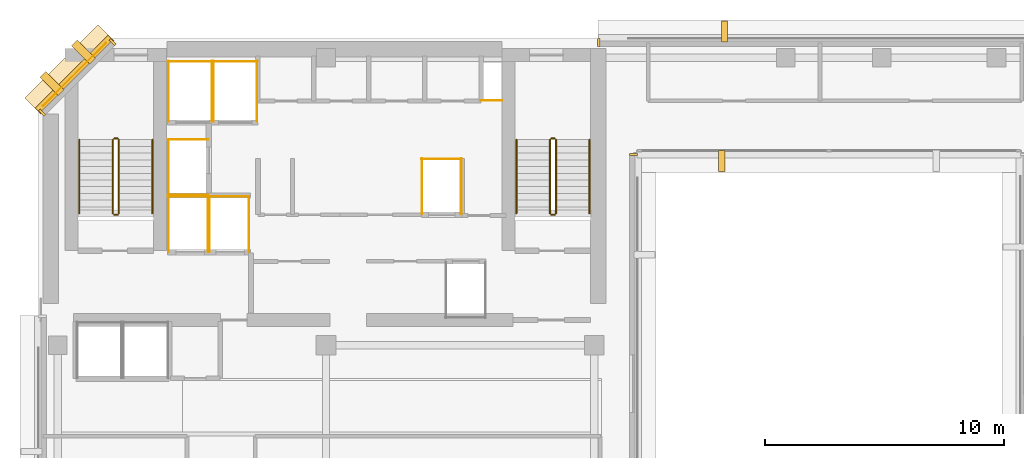
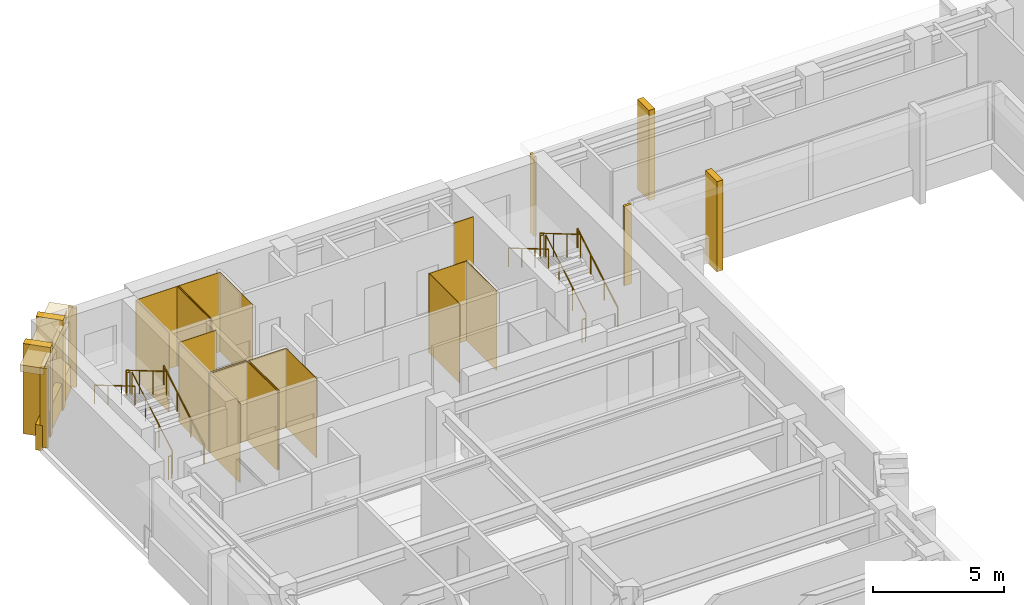
# One storey, part 10 of 11: 30 coverings, 12 railings.
"""IFC4 building model written with IfcOpenShell, lengths in metres."""

import ifcopenshell
import ifcopenshell.guid

model = None  # the IFC model being written
_history = None  # IfcOwnerHistory: only IFC2X3 demands one
_inside = {}  # id of a spatial element -> (the spatial element, [elements in it])
_under = {}  # id of a project, library or spatial element -> (it, [spatial elements below it])
_declared = {}  # id of a project -> (the project, [libraries it declares])
_typed = {}  # id of a type object -> (the type object, [elements of that type])
_made_of = {}  # id of a material, layer set ... -> (it, [elements and type objects made of it])


def new_model(schema):
    """Start an empty IFC model of exactly this schema.

    Asked for "IFC4X3", IfcOpenShell would pick the latest addendum, in which some entities
    have other attributes; the version numbers below select the first issue.
    IFC2X3 requires an IfcOwnerHistory on every rooted entity: one is made here for all.
    """
    global model, _history
    if schema == "IFC4X3":
        model = ifcopenshell.file(schema_version=(4, 3, 0, 0))
    else:
        model = ifcopenshell.file(schema=schema)
    _inside.clear()
    _under.clear()
    _declared.clear()
    _typed.clear()
    _made_of.clear()
    _history = None
    if model.schema == "IFC2X3":
        org = make("IfcOrganization", Name="unknown")
        user = make(
            "IfcPersonAndOrganization",
            ThePerson=make("IfcPerson", FamilyName="unknown"),
            TheOrganization=org,
        )
        app = make(
            "IfcApplication",
            ApplicationDeveloper=org,
            Version="unknown",
            ApplicationFullName="unknown",
            ApplicationIdentifier="unknown",
        )
        _history = make(
            "IfcOwnerHistory",
            OwningUser=user,
            OwningApplication=app,
            ChangeAction="ADDED",
            CreationDate=0,
        )
    return model


def make(cls, **values):
    """One entity of the class cls with the attributes given. An attribute that is None is left unset."""
    return model.create_entity(
        cls, **{name: value for name, value in values.items() if value is not None}
    )


def rooted(cls, **values):
    """An entity with a GlobalId (a new one), such as an element, a storey or a relation."""
    return make(cls, GlobalId=ifcopenshell.guid.new(), OwnerHistory=_history, **values)


def si_unit(unit_type, name, prefix=None):
    """IfcSIUnit, for example si_unit("LENGTHUNIT", "METRE", prefix="MILLI")."""
    return make("IfcSIUnit", UnitType=unit_type, Prefix=prefix, Name=name)


def assignment(units):
    """IfcUnitAssignment: the units of a project."""
    return None if units is None else make("IfcUnitAssignment", Units=units)


def point(xyz):
    """IfcCartesianPoint."""
    return None if xyz is None else make("IfcCartesianPoint", Coordinates=xyz)


def direction(xyz):
    """IfcDirection."""
    return None if xyz is None else make("IfcDirection", DirectionRatios=xyz)


def frame(location, z_axis=None, x_axis=None):
    """IfcAxis2Placement3D, a coordinate frame: its origin and axes. An axis left out is left unset."""
    return make(
        "IfcAxis2Placement3D",
        Location=point(location),
        Axis=direction(z_axis),
        RefDirection=direction(x_axis),
    )


def frame_2d(location, x_axis=None):
    """IfcAxis2Placement2D, a coordinate frame in the plane: its origin and x axis."""
    return make(
        "IfcAxis2Placement2D", Location=point(location), RefDirection=direction(x_axis)
    )


def origin():
    """The frame at (0, 0, 0) with its axes left unset."""
    return frame((0.0, 0.0, 0.0))


def origin_2d():
    """The frame at (0, 0) in the plane with its x axis left unset."""
    return frame_2d((0.0, 0.0))


def place(relative_to, where):
    """IfcLocalPlacement: puts the frame where relative to a parent placement (None: the world)."""
    return make(
        "IfcLocalPlacement", PlacementRelTo=relative_to, RelativePlacement=where
    )


def context(
    kind, dimensions, precision=None, world=None, true_north=None, identifier=None
):
    """IfcGeometricRepresentationContext, for example the 3D "Model" context."""
    return make(
        "IfcGeometricRepresentationContext",
        ContextIdentifier=identifier,
        ContextType=kind,
        CoordinateSpaceDimension=dimensions,
        Precision=precision,
        WorldCoordinateSystem=world,
        TrueNorth=true_north,
    )


def subcontext(parent, identifier, kind, view, scale=None):
    """IfcGeometricRepresentationSubContext, for example "Body" below "Model"."""
    return make(
        "IfcGeometricRepresentationSubContext",
        ContextIdentifier=identifier,
        ContextType=kind,
        ParentContext=parent,
        TargetScale=scale,
        TargetView=view,
    )


def project(units=None, contexts=None):
    """IfcProject with its units and contexts."""
    return rooted(
        "IfcProject",
        Name="project",
        RepresentationContexts=contexts,
        UnitsInContext=assignment(units),
    )


def spatial(cls, under=None, at=None, **own):
    """A site, building, storey or space (cls), placed at a placement, below another one or the project."""
    s = rooted(cls, ObjectPlacement=at, **own)
    if under is not None:
        _under.setdefault(under.id(), (under, []))[1].append(s)
    return s


def polyline(points):
    """IfcPolyline through the points."""
    return make("IfcPolyline", Points=[point(p) for p in points])


def profile(cls, at=None, kind="AREA", **sizes):
    """A parametric profile (cls). Its sizes go by their IFC names, for example OverallWidth=200.0."""
    return make(cls, ProfileType=kind, Position=at, **sizes)


def rectangle(**sizes):
    """IfcRectangleProfileDef."""
    return profile("IfcRectangleProfileDef", **sizes)


def circle(**sizes):
    """IfcCircleProfileDef."""
    return profile("IfcCircleProfileDef", **sizes)


def outline(outer, holes=None, kind="AREA"):
    """IfcArbitraryClosedProfileDef: a profile drawn as a closed curve; with holes, ...WithVoids."""
    if holes is None:
        return make("IfcArbitraryClosedProfileDef", ProfileType=kind, OuterCurve=outer)
    return make(
        "IfcArbitraryProfileDefWithVoids",
        ProfileType=kind,
        OuterCurve=outer,
        InnerCurves=holes,
    )


def extrude(swept, where, along, depth):
    """IfcExtrudedAreaSolid: the profile swept, set in the frame where, extruded along a direction by depth."""
    return make(
        "IfcExtrudedAreaSolid",
        SweptArea=swept,
        Position=where,
        ExtrudedDirection=direction(along),
        Depth=depth,
    )


def shape(context_of_items, identifier, shape_type, items):
    """IfcShapeRepresentation: the items that make up one representation, for example the "Body"."""
    return make(
        "IfcShapeRepresentation",
        ContextOfItems=context_of_items,
        RepresentationIdentifier=identifier,
        RepresentationType=shape_type,
        Items=items,
    )


def material(Name=None, Category=None):
    """IfcMaterial."""
    return make("IfcMaterial", Name=Name, Category=Category)


def layer(
    of_material, thickness, ventilated=None, Name=None, Category=None, Priority=None
):
    """IfcMaterialLayer: one layer of a wall or slab, of a material (None: an air gap)."""
    return make(
        "IfcMaterialLayer",
        Material=of_material,
        LayerThickness=thickness,
        IsVentilated=ventilated,
        Name=Name,
        Category=Category,
        Priority=Priority,
    )


def layer_set(layers, Name=None):
    """IfcMaterialLayerSet."""
    return make("IfcMaterialLayerSet", MaterialLayers=layers, LayerSetName=Name)


def made_of(thing, what):
    """Note that an element or type object is made of a material, layer set ...; save() writes the relation."""
    if what is not None:
        _made_of.setdefault(what.id(), (what, []))[1].append(thing)
    return thing


def type_object(cls, material=None, **own):
    """A type object (cls), such as IfcWallType, which elements share."""
    return made_of(rooted(cls, **own), material)


def element(
    cls,
    number,
    at=None,
    inside=None,
    cuts=None,
    type_object=None,
    material=None,
    context=None,
    identifier="Body",
    shape_type=None,
    held_by="IfcProductDefinitionShape",
    body=None,
    shapes=None,
    **own,
):
    """One element of the class cls, such as IfcWall. Its Tag is "e" and its number.

    at: its placement. inside: the storey or other place that contains it. cuts: it is an
    opening in that element (IfcRelVoidsElement). A single representation is given by context,
    identifier, shape_type and body (its items); several are given by shapes. held_by: the class
    of the entity that holds the representations. save() writes the other relations.
    """
    e = rooted(cls, Tag="e%d" % number, ObjectPlacement=at, **own)
    if body is not None:
        shapes = [shape(context, identifier, shape_type, body)]
    if shapes is not None:
        e.Representation = make(held_by, Representations=shapes)
    if inside is not None:
        _inside.setdefault(inside.id(), (inside, []))[1].append(e)
    if cuts is not None:
        rooted(
            "IfcRelVoidsElement", RelatingBuildingElement=cuts, RelatedOpeningElement=e
        )
    if type_object is not None:
        _typed.setdefault(type_object.id(), (type_object, []))[1].append(e)
    return made_of(e, material)


def aggregate(whole, parts):
    """IfcRelAggregates: a whole, such as a stair, and the parts it consists of."""
    return rooted("IfcRelAggregates", RelatingObject=whole, RelatedObjects=parts)


def save(model, path):
    """Write the relations noted so far, then the file.

    IfcRelAggregates (storeys below a building ...), IfcRelContainedInSpatialStructure (elements
    in a storey), IfcRelDefinesByType, IfcRelAssociatesMaterial and IfcRelDeclares: one each for
    every whole, place, type object, material and project.
    """
    for whole, parts in _under.values():
        aggregate(whole, parts)
    for where, things in _inside.values():
        rooted(
            "IfcRelContainedInSpatialStructure",
            RelatedElements=things,
            RelatingStructure=where,
        )
    for kind, things in _typed.values():
        rooted("IfcRelDefinesByType", RelatedObjects=things, RelatingType=kind)
    for what, things in _made_of.values():
        rooted("IfcRelAssociatesMaterial", RelatedObjects=things, RelatingMaterial=what)
    for by, libraries in _declared.values():
        rooted("IfcRelDeclares", RelatingContext=by, RelatedDefinitions=libraries)
    model.write(path)


model = new_model("IFC4")

# Units and contexts
model_context = context("Model", 3, precision=1e-05, world=origin(), true_north=direction((0.0, 1.0)))
body_context = subcontext(model_context, "Body", "Model", "MODEL_VIEW")
ifc_project = project(units=[si_unit("LENGTHUNIT", "METRE"), si_unit("AREAUNIT", "SQUARE_METRE"), si_unit("VOLUMEUNIT", "CUBIC_METRE"), si_unit("PLANEANGLEUNIT", "RADIAN"), si_unit("MASSUNIT", "GRAM", prefix="KILO")], contexts=[model_context])

# Site, building, storey
site_placement = place(None, origin())
site = spatial("IfcSite", under=ifc_project, at=site_placement, CompositionType="ELEMENT")
building_placement = place(site_placement, origin())
building = spatial("IfcBuilding", under=site, at=building_placement, Name="Kefirva Bronze Tower", CompositionType="ELEMENT")
storey_placement = place(building_placement, frame((0.0, 0.0, 243.5400390625)))
storey = spatial("IfcBuildingStorey", under=building, at=storey_placement, Name="L59", CompositionType="ELEMENT", Elevation=243.5400390625)

# Coverings
ifc_material_1 = material(Name="Bronze anodised aluminium", Category="aluminium")
ifc_layer_1 = layer(ifc_material_1, 0.02001953125, Name="Bronze anodised aluminium")
ifc_layer_set_1 = layer_set([ifc_layer_1], Name="Bronze anodised aluminium")
covering_type_1 = type_object("IfcCoveringType", Name="Anodised Bronze Spandrel Cladding 20mm", PredefinedType="CLADDING", material=ifc_layer_set_1)
for number, where, z_axis, x_axis, name in (
    (1, (24.840087890625, 41.1650390625, 0.0), (0.0, 0.0, 1.0), (0.0, 1.0, 0.0), "L59 Facade Joint Closure Panel 4E"),
    (2, (23.385009765625, 45.840087890625, 0.0), (0.0, 0.0, 1.0), (-1.0, 0.0, 0.0), "L59 Facade Joint Closure Panel 11E"),
):
    element("IfcCovering", number, at=place(storey_placement, frame(where, z_axis=z_axis, x_axis=x_axis)), inside=storey, type_object=covering_type_1, Name=name, PredefinedType="CLADDING", context=body_context, shape_type="SweptSolid", body=[
        extrude(rectangle(XDim=0.10009765625, YDim=0.320068359375, at=origin_2d()), origin(), (0.0, 0.0, 1.0), 3.7099609375),
    ])
covering_1_placement = place(storey_placement, frame((1.492919921875, 44.507080078125, 3.2900390625), z_axis=(0.0, 0.0, 1.0), x_axis=(-0.707106781187, -0.707106781187, 0.0)))
element("IfcCovering", 3, at=covering_1_placement, inside=storey, type_object=covering_type_1, Name="L59 Bronze Spandrel Cladding 12", PredefinedType="CLADDING", context=body_context, shape_type="SweptSolid", body=[
    extrude(rectangle(XDim=3.719482421875, YDim=0.02001953125, at=origin_2d()), origin(), (0.0, 0.0, 1.0), 0.39990234375),
])
for number, where, z_axis, x_axis, name in (
    (4, (3.08837890625, 45.862060546875, 0.0), (0.0, 0.0, 1.0), (-0.707106781187, -0.707106781187, 0.0), "L59 Facade Joint Closure Panel 12S"),
    (5, (0.137939453125, 42.91162109375, 0.0), (0.0, 0.0, 1.0), (-0.707106781187, -0.707106781187, 0.0), "L59 Facade Joint Closure Panel 12E"),
):
    element("IfcCovering", number, at=place(storey_placement, frame(where, z_axis=z_axis, x_axis=x_axis)), inside=storey, type_object=covering_type_1, Name=name, PredefinedType="CLADDING", context=body_context, shape_type="SweptSolid", body=[
        extrude(rectangle(XDim=0.10009765625, YDim=0.320068359375, at=origin_2d()), origin(), (0.0, 0.0, 1.0), 3.7099609375),
    ])
covering_2_placement = place(storey_placement, frame((1.4716796875, 44.5283203125, -0.16015625), z_axis=(0.0, 0.0, 1.0), x_axis=(-0.707106781187, -0.707106781187, 0.0)))
element("IfcCovering", 6, at=covering_2_placement, inside=storey, type_object=covering_type_1, Name="L59 Streamline Horizontal Spandrel Band 14", PredefinedType="CLADDING", context=body_context, shape_type="SweptSolid", body=[
    extrude(rectangle(XDim=4.28271484375, YDim=0.280029296875, at=origin_2d()), origin(), (0.0, 0.0, 1.0), 1.179931640625),
])
covering_3_placement = place(storey_placement, origin())
element("IfcCovering", 7, at=covering_3_placement, inside=storey, type_object=covering_type_1, Name="L59 Lift FF1 Hoistway Liner N", PredefinedType="CLADDING", context=body_context, shape_type="SweptSolid", body=[
    extrude(outline(polyline([(5.39990234375, 39.389892578125), (7.080078125, 39.389892578125), (7.080078125, 39.409912109375), (5.39990234375, 39.409912109375), (5.39990234375, 39.389892578125)])), origin(), (0.0, 0.0, 1.0), 3.7099609375),
])
covering_4_placement = place(storey_placement, origin())
element("IfcCovering", 8, at=covering_4_placement, inside=storey, type_object=covering_type_1, Name="L59 Lift FF1 Hoistway Liner W", PredefinedType="CLADDING", context=body_context, shape_type="SweptSolid", body=[
    extrude(outline(polyline([(5.409912109375, 37.080078125), (5.429931640625, 37.080078125), (5.429931640625, 39.419921875), (5.409912109375, 39.419921875), (5.409912109375, 37.080078125)])), origin(), (0.0, 0.0, 1.0), 3.7099609375),
])
covering_5_placement = place(storey_placement, origin())
element("IfcCovering", 9, at=covering_5_placement, inside=storey, type_object=covering_type_1, Name="L59 Lift FF1 Hoistway Liner E", PredefinedType="CLADDING", context=body_context, shape_type="SweptSolid", body=[
    extrude(outline(polyline([(7.050048828125, 37.080078125), (7.070068359375, 37.080078125), (7.070068359375, 39.419921875), (7.050048828125, 39.419921875), (7.050048828125, 37.080078125)])), origin(), (0.0, 0.0, 1.0), 3.7099609375),
])
covering_6_placement = place(storey_placement, origin())
element("IfcCovering", 10, at=covering_6_placement, inside=storey, type_object=covering_type_1, Name="L59 Lift FF2 Hoistway Liner N", PredefinedType="CLADDING", context=body_context, shape_type="SweptSolid", body=[
    extrude(outline(polyline([(7.1201171875, 39.389892578125), (8.800048828125, 39.389892578125), (8.800048828125, 39.409912109375), (7.1201171875, 39.409912109375), (7.1201171875, 39.389892578125)])), origin(), (0.0, 0.0, 1.0), 3.7099609375),
])
covering_7_placement = place(storey_placement, origin())
element("IfcCovering", 11, at=covering_7_placement, inside=storey, type_object=covering_type_1, Name="L59 Lift FF2 Hoistway Liner W", PredefinedType="CLADDING", context=body_context, shape_type="SweptSolid", body=[
    extrude(outline(polyline([(7.1298828125, 37.080078125), (7.14990234375, 37.080078125), (7.14990234375, 39.419921875), (7.1298828125, 39.419921875), (7.1298828125, 37.080078125)])), origin(), (0.0, 0.0, 1.0), 3.7099609375),
])
covering_8_placement = place(storey_placement, origin())
element("IfcCovering", 12, at=covering_8_placement, inside=storey, type_object=covering_type_1, Name="L59 Lift FF2 Hoistway Liner E", PredefinedType="CLADDING", context=body_context, shape_type="SweptSolid", body=[
    extrude(outline(polyline([(8.77001953125, 37.080078125), (8.7900390625, 37.080078125), (8.7900390625, 39.419921875), (8.77001953125, 39.419921875), (8.77001953125, 37.080078125)])), origin(), (0.0, 0.0, 1.0), 3.7099609375),
])
covering_9_placement = place(storey_placement, origin())
element("IfcCovering", 13, at=covering_9_placement, inside=storey, type_object=covering_type_1, Name="L59 Lift SV1 Hoistway Liner N", PredefinedType="CLADDING", context=body_context, shape_type="SweptSolid", body=[
    extrude(outline(polyline([(5.39990234375, 45.0400390625), (7.260009765625, 45.0400390625), (7.260009765625, 45.06005859375), (5.39990234375, 45.06005859375), (5.39990234375, 45.0400390625)])), origin(), (0.0, 0.0, 1.0), 3.7099609375),
])
covering_10_placement = place(storey_placement, origin())
element("IfcCovering", 14, at=covering_10_placement, inside=storey, type_object=covering_type_1, Name="L59 Lift SV1 Hoistway Liner W", PredefinedType="CLADDING", context=body_context, shape_type="SweptSolid", body=[
    extrude(outline(polyline([(5.409912109375, 42.530029296875), (5.429931640625, 42.530029296875), (5.429931640625, 45.070068359375), (5.409912109375, 45.070068359375), (5.409912109375, 42.530029296875)])), origin(), (0.0, 0.0, 1.0), 3.7099609375),
])
covering_11_placement = place(storey_placement, origin())
element("IfcCovering", 15, at=covering_11_placement, inside=storey, type_object=covering_type_1, Name="L59 Lift SV1 Hoistway Liner E", PredefinedType="CLADDING", context=body_context, shape_type="SweptSolid", body=[
    extrude(outline(polyline([(7.22998046875, 42.530029296875), (7.25, 42.530029296875), (7.25, 45.070068359375), (7.22998046875, 45.070068359375), (7.22998046875, 42.530029296875)])), origin(), (0.0, 0.0, 1.0), 3.7099609375),
])
covering_12_placement = place(storey_placement, origin())
element("IfcCovering", 16, at=covering_12_placement, inside=storey, type_object=covering_type_1, Name="L59 Lift SV2 Hoistway Liner N", PredefinedType="CLADDING", context=body_context, shape_type="SweptSolid", body=[
    extrude(outline(polyline([(7.280029296875, 45.0400390625), (9.139892578125, 45.0400390625), (9.139892578125, 45.06005859375), (7.280029296875, 45.06005859375), (7.280029296875, 45.0400390625)])), origin(), (0.0, 0.0, 1.0), 3.7099609375),
])
covering_13_placement = place(storey_placement, origin())
element("IfcCovering", 17, at=covering_13_placement, inside=storey, type_object=covering_type_1, Name="L59 Lift SV2 Hoistway Liner W", PredefinedType="CLADDING", context=body_context, shape_type="SweptSolid", body=[
    extrude(outline(polyline([(7.2900390625, 42.530029296875), (7.31005859375, 42.530029296875), (7.31005859375, 45.070068359375), (7.2900390625, 45.070068359375), (7.2900390625, 42.530029296875)])), origin(), (0.0, 0.0, 1.0), 3.7099609375),
])
covering_14_placement = place(storey_placement, origin())
element("IfcCovering", 18, at=covering_14_placement, inside=storey, type_object=covering_type_1, Name="L59 Lift SV2 Hoistway Liner E", PredefinedType="CLADDING", context=body_context, shape_type="SweptSolid", body=[
    extrude(outline(polyline([(9.110107421875, 42.530029296875), (9.1298828125, 42.530029296875), (9.1298828125, 45.070068359375), (9.110107421875, 45.070068359375), (9.110107421875, 42.530029296875)])), origin(), (0.0, 0.0, 1.0), 3.7099609375),
])
covering_15_placement = place(storey_placement, origin())
element("IfcCovering", 19, at=covering_15_placement, inside=storey, type_object=covering_type_1, Name="L59 Lift HP2 Hoistway Liner N", PredefinedType="CLADDING", context=body_context, shape_type="SweptSolid", body=[
    extrude(outline(polyline([(15.97998046875, 40.969970703125), (17.669921875, 40.969970703125), (17.669921875, 40.989990234375), (15.97998046875, 40.989990234375), (15.97998046875, 40.969970703125)])), origin(), (0.0, 0.0, 1.0), 3.7099609375),
])
covering_16_placement = place(storey_placement, origin())
element("IfcCovering", 20, at=covering_16_placement, inside=storey, type_object=covering_type_1, Name="L59 Lift HP2 Hoistway Liner W", PredefinedType="CLADDING", context=body_context, shape_type="SweptSolid", body=[
    extrude(outline(polyline([(15.989990234375, 38.659912109375), (16.010009765625, 38.659912109375), (16.010009765625, 41.0), (15.989990234375, 41.0), (15.989990234375, 38.659912109375)])), origin(), (0.0, 0.0, 1.0), 3.7099609375),
])
covering_17_placement = place(storey_placement, origin())
element("IfcCovering", 21, at=covering_17_placement, inside=storey, type_object=covering_type_1, Name="L59 Lift HP2 Hoistway Liner E", PredefinedType="CLADDING", context=body_context, shape_type="SweptSolid", body=[
    extrude(outline(polyline([(17.639892578125, 38.659912109375), (17.659912109375, 38.659912109375), (17.659912109375, 41.0), (17.639892578125, 41.0), (17.639892578125, 38.659912109375)])), origin(), (0.0, 0.0, 1.0), 3.7099609375),
])
covering_18_placement = place(storey_placement, origin())
element("IfcCovering", 22, at=covering_18_placement, inside=storey, type_object=covering_type_1, Name="L59 Lift HP3 Hoistway Liner N", PredefinedType="CLADDING", context=body_context, shape_type="SweptSolid", body=[
    extrude(outline(polyline([(5.39990234375, 41.77001953125), (7.080078125, 41.77001953125), (7.080078125, 41.7900390625), (5.39990234375, 41.7900390625), (5.39990234375, 41.77001953125)])), origin(), (0.0, 0.0, 1.0), 3.7099609375),
])
covering_19_placement = place(storey_placement, origin())
element("IfcCovering", 23, at=covering_19_placement, inside=storey, type_object=covering_type_1, Name="L59 Lift HP3 Hoistway Liner S", PredefinedType="CLADDING", context=body_context, shape_type="SweptSolid", body=[
    extrude(outline(polyline([(5.39990234375, 39.469970703125), (7.080078125, 39.469970703125), (7.080078125, 39.489990234375), (5.39990234375, 39.489990234375), (5.39990234375, 39.469970703125)])), origin(), (0.0, 0.0, 1.0), 3.7099609375),
])
covering_20_placement = place(storey_placement, origin())
element("IfcCovering", 24, at=covering_20_placement, inside=storey, type_object=covering_type_1, Name="L59 Lift HP3 Hoistway Liner W", PredefinedType="CLADDING", context=body_context, shape_type="SweptSolid", body=[
    extrude(outline(polyline([(5.409912109375, 39.4599609375), (5.429931640625, 39.4599609375), (5.429931640625, 41.800048828125), (5.409912109375, 41.800048828125), (5.409912109375, 39.4599609375)])), origin(), (0.0, 0.0, 1.0), 3.7099609375),
])
covering_21_placement = place(storey_placement, origin())
element("IfcCovering", 25, at=covering_21_placement, inside=storey, type_object=covering_type_1, Name="L59 Core MEP Riser Shaft Liner South", PredefinedType="CLADDING", context=body_context, shape_type="SweptSolid", body=[
    extrude(outline(polyline([(18.47998046875, 43.39990234375), (19.360107421875, 43.39990234375), (19.360107421875, 43.429931640625), (18.47998046875, 43.429931640625), (18.47998046875, 43.39990234375)])), origin(), (0.0, 0.0, 1.0), 3.7099609375),
])

# Railings
ifc_material_2 = material(Name="Stainless steel 316", Category="steel")
railing_type_1 = type_object("IfcRailingType", Name="Interior Stair Guardrail 1100mm", PredefinedType="GUARDRAIL", material=ifc_material_2)
railing_1_placement = place(storey_placement, frame((3.35009765625, 38.699951171875, 0.1650390625)))
element("IfcRailing", 26, at=railing_1_placement, inside=storey, type_object=railing_type_1, Name="L59 ST-1 stair guard 1", PredefinedType="GUARDRAIL", context=body_context, shape_type="SweptSolid", body=[
    extrude(circle(Radius=0.02392578125, at=origin_2d()), frame((0.0, 0.0, 1.076171875), z_axis=(0.0, 0.861551262678, 0.507670583921), x_axis=(-1.0, 0.0, 0.0)), (0.0, 0.0, 1.0), 3.574951171875),
    extrude(circle(Radius=0.02099609375, at=origin_2d()), origin(), (0.0, 0.0, 1.0), 1.052001953125),
    extrude(circle(Radius=0.02099609375, at=origin_2d()), frame((0.0, 1.026611328125, 0.60498046875)), (0.0, 0.0, 1.0), 1.052001953125),
    extrude(circle(Radius=0.02099609375, at=origin_2d()), frame((0.0, 2.053466796875, 1.2099609375)), (0.0, 0.0, 1.0), 1.052001953125),
    extrude(circle(Radius=0.02099609375, at=origin_2d()), frame((0.0, 3.080078125, 1.81494140625)), (0.0, 0.0, 1.0), 1.052001953125),
])
railing_2_placement = place(storey_placement, frame((3.300048828125, 41.830078125, 1.97998046875)))
element("IfcRailing", 27, at=railing_2_placement, inside=storey, type_object=railing_type_1, Name="L59 ST-1 stair guard 2", PredefinedType="GUARDRAIL", context=body_context, shape_type="SweptSolid", body=[
    extrude(circle(Radius=0.02392578125, at=origin_2d()), frame((0.0, 0.0, 1.076171875), z_axis=(-1.0, 0.0, 0.0), x_axis=(0.0, -1.0, 0.0)), (0.0, 0.0, 1.0), 0.150146484375),
    extrude(circle(Radius=0.02099609375, at=origin_2d()), origin(), (0.0, 0.0, 1.0), 1.052001953125),
    extrude(circle(Radius=0.02099609375, at=origin_2d()), frame((-0.150146484375, 0.0, 0.0)), (0.0, 0.0, 1.0), 1.052001953125),
])
railing_3_placement = place(storey_placement, frame((3.10009765625, 41.780029296875, 2.14501953125)))
element("IfcRailing", 28, at=railing_3_placement, inside=storey, type_object=railing_type_1, Name="L59 ST-1 stair guard 3", PredefinedType="GUARDRAIL", context=body_context, shape_type="SweptSolid", body=[
    extrude(circle(Radius=0.02392578125, at=origin_2d()), frame((0.0, 0.0, 1.076171875), z_axis=(0.0, -0.861551262678, 0.507670583921), x_axis=(1.0, 0.0, 0.0)), (0.0, 0.0, 1.0), 3.574951171875),
    extrude(circle(Radius=0.02099609375, at=origin_2d()), origin(), (0.0, 0.0, 1.0), 1.052001953125),
    extrude(circle(Radius=0.02099609375, at=origin_2d()), frame((0.0, -1.026611328125, 0.60498046875)), (0.0, 0.0, 1.0), 1.052001953125),
    extrude(circle(Radius=0.02099609375, at=origin_2d()), frame((0.0, -2.053466796875, 1.2099609375)), (0.0, 0.0, 1.0), 1.052001953125),
    extrude(circle(Radius=0.02099609375, at=origin_2d()), frame((0.0, -3.080078125, 1.81494140625)), (0.0, 0.0, 1.0), 1.052001953125),
])
railing_4_placement = place(storey_placement, frame((3.300048828125, 38.64990234375, 0.0)))
element("IfcRailing", 29, at=railing_4_placement, inside=storey, type_object=railing_type_1, Name="L59 ST-1 stair guard 4", PredefinedType="GUARDRAIL", context=body_context, shape_type="SweptSolid", body=[
    extrude(circle(Radius=0.02392578125, at=origin_2d()), frame((0.0, 0.0, 1.076171875), z_axis=(-1.0, 0.0, 0.0), x_axis=(0.0, -1.0, 0.0)), (0.0, 0.0, 1.0), 0.150146484375),
    extrude(circle(Radius=0.02099609375, at=origin_2d()), origin(), (0.0, 0.0, 1.0), 1.052001953125),
    extrude(circle(Radius=0.02099609375, at=origin_2d()), frame((-0.150146484375, 0.0, 0.0)), (0.0, 0.0, 1.0), 1.052001953125),
])
railing_5_placement = place(storey_placement, frame((21.60009765625, 38.699951171875, 0.1650390625)))
element("IfcRailing", 30, at=railing_5_placement, inside=storey, type_object=railing_type_1, Name="L59 ST-2 stair guard 1", PredefinedType="GUARDRAIL", context=body_context, shape_type="SweptSolid", body=[
    extrude(circle(Radius=0.02392578125, at=origin_2d()), frame((0.0, 0.0, 1.076171875), z_axis=(0.0, 0.861551262678, 0.507670583921), x_axis=(-1.0, 0.0, 0.0)), (0.0, 0.0, 1.0), 3.574951171875),
    extrude(circle(Radius=0.02099609375, at=origin_2d()), origin(), (0.0, 0.0, 1.0), 1.052001953125),
    extrude(circle(Radius=0.02099609375, at=origin_2d()), frame((0.0, 1.026611328125, 0.60498046875)), (0.0, 0.0, 1.0), 1.052001953125),
    extrude(circle(Radius=0.02099609375, at=origin_2d()), frame((0.0, 2.053466796875, 1.2099609375)), (0.0, 0.0, 1.0), 1.052001953125),
    extrude(circle(Radius=0.02099609375, at=origin_2d()), frame((0.0, 3.080078125, 1.81494140625)), (0.0, 0.0, 1.0), 1.052001953125),
])
railing_6_placement = place(storey_placement, frame((21.550048828125, 41.830078125, 1.97998046875)))
element("IfcRailing", 31, at=railing_6_placement, inside=storey, type_object=railing_type_1, Name="L59 ST-2 stair guard 2", PredefinedType="GUARDRAIL", context=body_context, shape_type="SweptSolid", body=[
    extrude(circle(Radius=0.02392578125, at=origin_2d()), frame((0.0, 0.0, 1.076171875), z_axis=(-1.0, 0.0, 0.0), x_axis=(0.0, -1.0, 0.0)), (0.0, 0.0, 1.0), 0.150146484375),
    extrude(circle(Radius=0.02099609375, at=origin_2d()), origin(), (0.0, 0.0, 1.0), 1.052001953125),
    extrude(circle(Radius=0.02099609375, at=origin_2d()), frame((-0.150146484375, 0.0, 0.0)), (0.0, 0.0, 1.0), 1.052001953125),
])
railing_7_placement = place(storey_placement, frame((21.35009765625, 41.780029296875, 2.14501953125)))
element("IfcRailing", 32, at=railing_7_placement, inside=storey, type_object=railing_type_1, Name="L59 ST-2 stair guard 3", PredefinedType="GUARDRAIL", context=body_context, shape_type="SweptSolid", body=[
    extrude(circle(Radius=0.02392578125, at=origin_2d()), frame((0.0, 0.0, 1.076171875), z_axis=(0.0, -0.861551262678, 0.507670583921), x_axis=(1.0, 0.0, 0.0)), (0.0, 0.0, 1.0), 3.574951171875),
    extrude(circle(Radius=0.02099609375, at=origin_2d()), origin(), (0.0, 0.0, 1.0), 1.052001953125),
    extrude(circle(Radius=0.02099609375, at=origin_2d()), frame((0.0, -1.026611328125, 0.60498046875)), (0.0, 0.0, 1.0), 1.052001953125),
    extrude(circle(Radius=0.02099609375, at=origin_2d()), frame((0.0, -2.053466796875, 1.2099609375)), (0.0, 0.0, 1.0), 1.052001953125),
    extrude(circle(Radius=0.02099609375, at=origin_2d()), frame((0.0, -3.080078125, 1.81494140625)), (0.0, 0.0, 1.0), 1.052001953125),
])
railing_8_placement = place(storey_placement, frame((21.550048828125, 38.64990234375, 0.0)))
element("IfcRailing", 33, at=railing_8_placement, inside=storey, type_object=railing_type_1, Name="L59 ST-2 stair guard 4", PredefinedType="GUARDRAIL", context=body_context, shape_type="SweptSolid", body=[
    extrude(circle(Radius=0.02392578125, at=origin_2d()), frame((0.0, 0.0, 1.076171875), z_axis=(-1.0, 0.0, 0.0), x_axis=(0.0, -1.0, 0.0)), (0.0, 0.0, 1.0), 0.150146484375),
    extrude(circle(Radius=0.02099609375, at=origin_2d()), origin(), (0.0, 0.0, 1.0), 1.052001953125),
    extrude(circle(Radius=0.02099609375, at=origin_2d()), frame((-0.150146484375, 0.0, 0.0)), (0.0, 0.0, 1.0), 1.052001953125),
])
railing_type_2 = type_object("IfcRailingType", Name="Stair Pitch Handrail 900mm", PredefinedType="HANDRAIL", material=ifc_material_2)
railing_9_placement = place(storey_placement, frame((4.75, 38.699951171875, 0.1650390625)))
element("IfcRailing", 34, at=railing_9_placement, inside=storey, type_object=railing_type_2, Name="L59 ST-1 stair handrail 1", PredefinedType="HANDRAIL", context=body_context, shape_type="SweptSolid", body=[
    extrude(circle(Radius=0.02392578125, at=origin_2d()), frame((0.0, 0.0, 0.8759765625), z_axis=(0.0, 0.861551262678, 0.507670583921), x_axis=(-1.0, 0.0, 0.0)), (0.0, 0.0, 1.0), 3.574951171875),
    extrude(circle(Radius=0.02099609375, at=origin_2d()), origin(), (0.0, 0.0, 1.0), 0.851806640625),
    extrude(circle(Radius=0.02099609375, at=origin_2d()), frame((0.0, 1.026611328125, 0.60498046875)), (0.0, 0.0, 1.0), 0.851806640625),
    extrude(circle(Radius=0.02099609375, at=origin_2d()), frame((0.0, 2.053466796875, 1.2099609375)), (0.0, 0.0, 1.0), 0.851806640625),
    extrude(circle(Radius=0.02099609375, at=origin_2d()), frame((0.0, 3.080078125, 1.81494140625)), (0.0, 0.0, 1.0), 0.851806640625),
])
railing_10_placement = place(storey_placement, frame((1.699951171875, 41.780029296875, 2.14501953125)))
element("IfcRailing", 35, at=railing_10_placement, inside=storey, type_object=railing_type_2, Name="L59 ST-1 stair handrail 2", PredefinedType="HANDRAIL", context=body_context, shape_type="SweptSolid", body=[
    extrude(circle(Radius=0.02392578125, at=origin_2d()), frame((0.0, 0.0, 0.8759765625), z_axis=(0.0, -0.861551262678, 0.507670583921), x_axis=(1.0, 0.0, 0.0)), (0.0, 0.0, 1.0), 3.574951171875),
    extrude(circle(Radius=0.02099609375, at=origin_2d()), origin(), (0.0, 0.0, 1.0), 0.851806640625),
    extrude(circle(Radius=0.02099609375, at=origin_2d()), frame((0.0, -1.026611328125, 0.60498046875)), (0.0, 0.0, 1.0), 0.851806640625),
    extrude(circle(Radius=0.02099609375, at=origin_2d()), frame((0.0, -2.053466796875, 1.2099609375)), (0.0, 0.0, 1.0), 0.851806640625),
    extrude(circle(Radius=0.02099609375, at=origin_2d()), frame((0.0, -3.080078125, 1.81494140625)), (0.0, 0.0, 1.0), 0.851806640625),
])
railing_11_placement = place(storey_placement, frame((23.0, 38.699951171875, 0.1650390625)))
element("IfcRailing", 36, at=railing_11_placement, inside=storey, type_object=railing_type_2, Name="L59 ST-2 stair handrail 1", PredefinedType="HANDRAIL", context=body_context, shape_type="SweptSolid", body=[
    extrude(circle(Radius=0.02392578125, at=origin_2d()), frame((0.0, 0.0, 0.8759765625), z_axis=(0.0, 0.861551262678, 0.507670583921), x_axis=(-1.0, 0.0, 0.0)), (0.0, 0.0, 1.0), 3.574951171875),
    extrude(circle(Radius=0.02099609375, at=origin_2d()), origin(), (0.0, 0.0, 1.0), 0.851806640625),
    extrude(circle(Radius=0.02099609375, at=origin_2d()), frame((0.0, 1.026611328125, 0.60498046875)), (0.0, 0.0, 1.0), 0.851806640625),
    extrude(circle(Radius=0.02099609375, at=origin_2d()), frame((0.0, 2.053466796875, 1.2099609375)), (0.0, 0.0, 1.0), 0.851806640625),
    extrude(circle(Radius=0.02099609375, at=origin_2d()), frame((0.0, 3.080078125, 1.81494140625)), (0.0, 0.0, 1.0), 0.851806640625),
])
railing_12_placement = place(storey_placement, frame((19.949951171875, 41.780029296875, 2.14501953125)))
element("IfcRailing", 37, at=railing_12_placement, inside=storey, type_object=railing_type_2, Name="L59 ST-2 stair handrail 2", PredefinedType="HANDRAIL", context=body_context, shape_type="SweptSolid", body=[
    extrude(circle(Radius=0.02392578125, at=origin_2d()), frame((0.0, 0.0, 0.8759765625), z_axis=(0.0, -0.861551262678, 0.507670583921), x_axis=(1.0, 0.0, 0.0)), (0.0, 0.0, 1.0), 3.574951171875),
    extrude(circle(Radius=0.02099609375, at=origin_2d()), origin(), (0.0, 0.0, 1.0), 0.851806640625),
    extrude(circle(Radius=0.02099609375, at=origin_2d()), frame((0.0, -1.026611328125, 0.60498046875)), (0.0, 0.0, 1.0), 0.851806640625),
    extrude(circle(Radius=0.02099609375, at=origin_2d()), frame((0.0, -2.053466796875, 1.2099609375)), (0.0, 0.0, 1.0), 0.851806640625),
    extrude(circle(Radius=0.02099609375, at=origin_2d()), frame((0.0, -3.080078125, 1.81494140625)), (0.0, 0.0, 1.0), 0.851806640625),
])

# Coverings
ifc_layer_2 = layer(ifc_material_1, 0.179931640625, Name="Bronze anodised aluminium")
ifc_layer_set_2 = layer_set([ifc_layer_2], Name="Bronze anodised aluminium")
covering_type_2 = type_object("IfcCoveringType", Name="Streamline Bronze Sunshade Eyebrow Cladding 180mm", PredefinedType="CLADDING", material=ifc_layer_set_2)
covering_22_placement = place(storey_placement, frame((1.28076171875, 44.71923828125, 3.39013671875), z_axis=(0.0, 0.0, 1.0), x_axis=(-0.707106781187, -0.707106781187, 0.0)))
element("IfcCovering", 38, at=covering_22_placement, inside=storey, type_object=covering_type_2, Name="L59 Streamline Bronze Sunshade Eyebrow 14", PredefinedType="CLADDING", context=body_context, shape_type="SweptSolid", body=[
    extrude(rectangle(XDim=4.322509765625, YDim=0.93994140625, at=origin_2d()), origin(), (0.0, 0.0, 1.0), 0.320068359375),
])
ifc_layer_3 = layer(ifc_material_1, 0.260009765625, Name="Bronze anodised aluminium")
ifc_layer_set_3 = layer_set([ifc_layer_3], Name="Bronze anodised aluminium")
covering_type_3 = type_object("IfcCoveringType", Name="Unbroken Bronze Buttress Fin Cladding 260mm", PredefinedType="CLADDING", material=ifc_layer_set_3)
for number, where, z_axis, x_axis, name in (
    (39, (28.52001953125, 40.89990234375, -0.25), (0.0, 0.0, 1.0), (1.0, 0.0, 0.0), "L59 Unbroken Vertical Bronze Rib Fin 11"),
    (40, (28.639892578125, 46.300048828125, -0.25), (0.0, 0.0, 1.0), (-1.0, 0.0, 0.0), "L59 Unbroken Vertical Bronze Rib Fin 24"),
):
    element("IfcCovering", number, at=place(storey_placement, frame(where, z_axis=z_axis, x_axis=x_axis)), inside=storey, type_object=covering_type_3, Name=name, PredefinedType="CLADDING", context=body_context, shape_type="SweptSolid", body=[
        extrude(rectangle(XDim=0.260009765625, YDim=0.8798828125, at=origin_2d()), origin(), (0.0, 0.0, 1.0), 4.2099609375),
    ])
for number, where, z_axis, x_axis, name in (
    (41, (1.877197265625, 45.44287109375, -0.25), (0.0, 0.0, 1.0), (-0.707106781187, -0.707106781187, 0.0), "L59 Chamfered Corner Buttress Fin Cladding 25"),
    (42, (0.55712890625, 44.122802734375, -0.25), (0.0, 0.0, 1.0), (-0.707106781187, -0.707106781187, 0.0), "L59 Chamfered Corner Buttress Fin Cladding 26"),
):
    element("IfcCovering", number, at=place(storey_placement, frame(where, z_axis=z_axis, x_axis=x_axis)), inside=storey, type_object=covering_type_3, Name=name, PredefinedType="CLADDING", context=body_context, shape_type="SweptSolid", body=[
        extrude(rectangle(XDim=0.340087890625, YDim=1.080078125, at=origin_2d()), origin(), (0.0, 0.0, 1.0), 4.2099609375),
    ])

save(model, "model.ifc")
